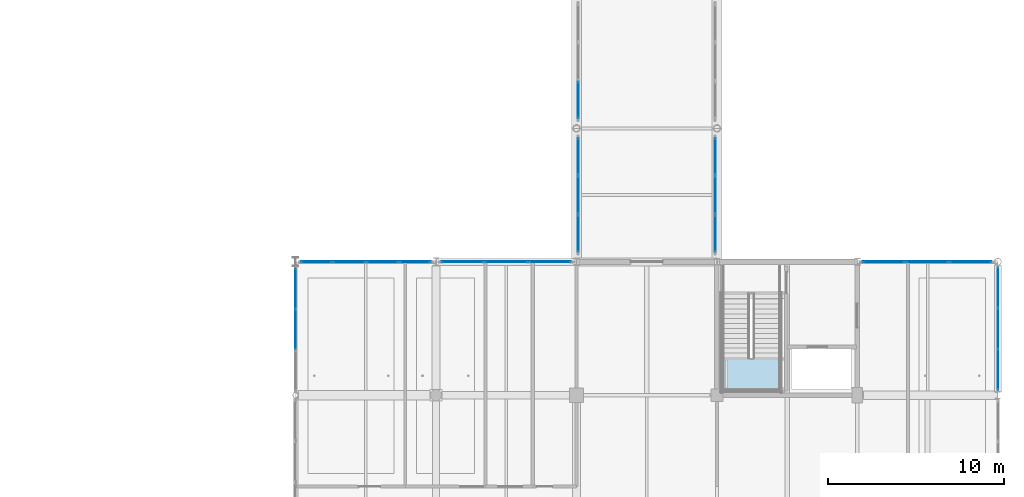
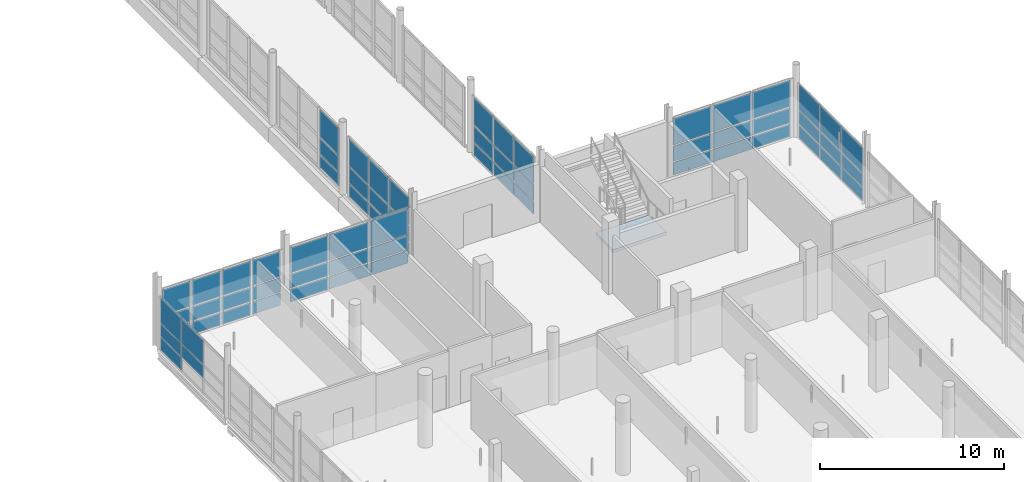
# One storey, part 75 of 147: 65 plates, 1 slab, 9 elements without a shape of their own.
"""IFC4 building model written with IfcOpenShell, lengths in metres."""

import ifcopenshell
import ifcopenshell.guid

model = None  # the IFC model being written
_history = None  # IfcOwnerHistory: only IFC2X3 demands one
_inside = {}  # id of a spatial element -> (the spatial element, [elements in it])
_under = {}  # id of a project, library or spatial element -> (it, [spatial elements below it])
_declared = {}  # id of a project -> (the project, [libraries it declares])
_typed = {}  # id of a type object -> (the type object, [elements of that type])
_made_of = {}  # id of a material, layer set ... -> (it, [elements and type objects made of it])


def new_model(schema):
    """Start an empty IFC model of exactly this schema.

    Asked for "IFC4X3", IfcOpenShell would pick the latest addendum, in which some entities
    have other attributes; the version numbers below select the first issue.
    IFC2X3 requires an IfcOwnerHistory on every rooted entity: one is made here for all.
    """
    global model, _history
    if schema == "IFC4X3":
        model = ifcopenshell.file(schema_version=(4, 3, 0, 0))
    else:
        model = ifcopenshell.file(schema=schema)
    _inside.clear()
    _under.clear()
    _declared.clear()
    _typed.clear()
    _made_of.clear()
    _history = None
    if model.schema == "IFC2X3":
        org = make("IfcOrganization", Name="unknown")
        user = make(
            "IfcPersonAndOrganization",
            ThePerson=make("IfcPerson", FamilyName="unknown"),
            TheOrganization=org,
        )
        app = make(
            "IfcApplication",
            ApplicationDeveloper=org,
            Version="unknown",
            ApplicationFullName="unknown",
            ApplicationIdentifier="unknown",
        )
        _history = make(
            "IfcOwnerHistory",
            OwningUser=user,
            OwningApplication=app,
            ChangeAction="ADDED",
            CreationDate=0,
        )
    return model


def make(cls, **values):
    """One entity of the class cls with the attributes given. An attribute that is None is left unset."""
    return model.create_entity(
        cls, **{name: value for name, value in values.items() if value is not None}
    )


def rooted(cls, **values):
    """An entity with a GlobalId (a new one), such as an element, a storey or a relation."""
    return make(cls, GlobalId=ifcopenshell.guid.new(), OwnerHistory=_history, **values)


def si_unit(unit_type, name, prefix=None):
    """IfcSIUnit, for example si_unit("LENGTHUNIT", "METRE", prefix="MILLI")."""
    return make("IfcSIUnit", UnitType=unit_type, Prefix=prefix, Name=name)


def assignment(units):
    """IfcUnitAssignment: the units of a project."""
    return None if units is None else make("IfcUnitAssignment", Units=units)


def point(xyz):
    """IfcCartesianPoint."""
    return None if xyz is None else make("IfcCartesianPoint", Coordinates=xyz)


def direction(xyz):
    """IfcDirection."""
    return None if xyz is None else make("IfcDirection", DirectionRatios=xyz)


def frame(location, z_axis=None, x_axis=None):
    """IfcAxis2Placement3D, a coordinate frame: its origin and axes. An axis left out is left unset."""
    return make(
        "IfcAxis2Placement3D",
        Location=point(location),
        Axis=direction(z_axis),
        RefDirection=direction(x_axis),
    )


def frame_2d(location, x_axis=None):
    """IfcAxis2Placement2D, a coordinate frame in the plane: its origin and x axis."""
    return make(
        "IfcAxis2Placement2D", Location=point(location), RefDirection=direction(x_axis)
    )


def origin():
    """The frame at (0, 0, 0) with its axes left unset."""
    return frame((0.0, 0.0, 0.0))


def origin_2d():
    """The frame at (0, 0) in the plane with its x axis left unset."""
    return frame_2d((0.0, 0.0))


def place(relative_to, where):
    """IfcLocalPlacement: puts the frame where relative to a parent placement (None: the world)."""
    return make(
        "IfcLocalPlacement", PlacementRelTo=relative_to, RelativePlacement=where
    )


def context(
    kind, dimensions, precision=None, world=None, true_north=None, identifier=None
):
    """IfcGeometricRepresentationContext, for example the 3D "Model" context."""
    return make(
        "IfcGeometricRepresentationContext",
        ContextIdentifier=identifier,
        ContextType=kind,
        CoordinateSpaceDimension=dimensions,
        Precision=precision,
        WorldCoordinateSystem=world,
        TrueNorth=true_north,
    )


def subcontext(parent, identifier, kind, view, scale=None):
    """IfcGeometricRepresentationSubContext, for example "Body" below "Model"."""
    return make(
        "IfcGeometricRepresentationSubContext",
        ContextIdentifier=identifier,
        ContextType=kind,
        ParentContext=parent,
        TargetScale=scale,
        TargetView=view,
    )


def project(units=None, contexts=None):
    """IfcProject with its units and contexts."""
    return rooted(
        "IfcProject",
        Name="project",
        RepresentationContexts=contexts,
        UnitsInContext=assignment(units),
    )


def spatial(cls, under=None, at=None, **own):
    """A site, building, storey or space (cls), placed at a placement, below another one or the project."""
    s = rooted(cls, ObjectPlacement=at, **own)
    if under is not None:
        _under.setdefault(under.id(), (under, []))[1].append(s)
    return s


def polyline(points):
    """IfcPolyline through the points."""
    return make("IfcPolyline", Points=[point(p) for p in points])


def profile(cls, at=None, kind="AREA", **sizes):
    """A parametric profile (cls). Its sizes go by their IFC names, for example OverallWidth=200.0."""
    return make(cls, ProfileType=kind, Position=at, **sizes)


def rectangle(**sizes):
    """IfcRectangleProfileDef."""
    return profile("IfcRectangleProfileDef", **sizes)


def outline(outer, holes=None, kind="AREA"):
    """IfcArbitraryClosedProfileDef: a profile drawn as a closed curve; with holes, ...WithVoids."""
    if holes is None:
        return make("IfcArbitraryClosedProfileDef", ProfileType=kind, OuterCurve=outer)
    return make(
        "IfcArbitraryProfileDefWithVoids",
        ProfileType=kind,
        OuterCurve=outer,
        InnerCurves=holes,
    )


def extrude(swept, where, along, depth):
    """IfcExtrudedAreaSolid: the profile swept, set in the frame where, extruded along a direction by depth."""
    return make(
        "IfcExtrudedAreaSolid",
        SweptArea=swept,
        Position=where,
        ExtrudedDirection=direction(along),
        Depth=depth,
    )


def shape(context_of_items, identifier, shape_type, items):
    """IfcShapeRepresentation: the items that make up one representation, for example the "Body"."""
    return make(
        "IfcShapeRepresentation",
        ContextOfItems=context_of_items,
        RepresentationIdentifier=identifier,
        RepresentationType=shape_type,
        Items=items,
    )


def material(Name=None, Category=None):
    """IfcMaterial."""
    return make("IfcMaterial", Name=Name, Category=Category)


def layer(
    of_material, thickness, ventilated=None, Name=None, Category=None, Priority=None
):
    """IfcMaterialLayer: one layer of a wall or slab, of a material (None: an air gap)."""
    return make(
        "IfcMaterialLayer",
        Material=of_material,
        LayerThickness=thickness,
        IsVentilated=ventilated,
        Name=Name,
        Category=Category,
        Priority=Priority,
    )


def layer_set(layers, Name=None):
    """IfcMaterialLayerSet."""
    return make("IfcMaterialLayerSet", MaterialLayers=layers, LayerSetName=Name)


def made_of(thing, what):
    """Note that an element or type object is made of a material, layer set ...; save() writes the relation."""
    if what is not None:
        _made_of.setdefault(what.id(), (what, []))[1].append(thing)
    return thing


def type_object(cls, material=None, **own):
    """A type object (cls), such as IfcWallType, which elements share."""
    return made_of(rooted(cls, **own), material)


def element(
    cls,
    number,
    at=None,
    inside=None,
    cuts=None,
    type_object=None,
    material=None,
    context=None,
    identifier="Body",
    shape_type=None,
    held_by="IfcProductDefinitionShape",
    body=None,
    shapes=None,
    **own,
):
    """One element of the class cls, such as IfcWall. Its Tag is "e" and its number.

    at: its placement. inside: the storey or other place that contains it. cuts: it is an
    opening in that element (IfcRelVoidsElement). A single representation is given by context,
    identifier, shape_type and body (its items); several are given by shapes. held_by: the class
    of the entity that holds the representations. save() writes the other relations.
    """
    e = rooted(cls, Tag="e%d" % number, ObjectPlacement=at, **own)
    if body is not None:
        shapes = [shape(context, identifier, shape_type, body)]
    if shapes is not None:
        e.Representation = make(held_by, Representations=shapes)
    if inside is not None:
        _inside.setdefault(inside.id(), (inside, []))[1].append(e)
    if cuts is not None:
        rooted(
            "IfcRelVoidsElement", RelatingBuildingElement=cuts, RelatedOpeningElement=e
        )
    if type_object is not None:
        _typed.setdefault(type_object.id(), (type_object, []))[1].append(e)
    return made_of(e, material)


def aggregate(whole, parts):
    """IfcRelAggregates: a whole, such as a stair, and the parts it consists of."""
    return rooted("IfcRelAggregates", RelatingObject=whole, RelatedObjects=parts)


def save(model, path):
    """Write the relations noted so far, then the file.

    IfcRelAggregates (storeys below a building ...), IfcRelContainedInSpatialStructure (elements
    in a storey), IfcRelDefinesByType, IfcRelAssociatesMaterial and IfcRelDeclares: one each for
    every whole, place, type object, material and project.
    """
    for whole, parts in _under.values():
        aggregate(whole, parts)
    for where, things in _inside.values():
        rooted(
            "IfcRelContainedInSpatialStructure",
            RelatedElements=things,
            RelatingStructure=where,
        )
    for kind, things in _typed.values():
        rooted("IfcRelDefinesByType", RelatedObjects=things, RelatingType=kind)
    for what, things in _made_of.values():
        rooted("IfcRelAssociatesMaterial", RelatedObjects=things, RelatingMaterial=what)
    for by, libraries in _declared.values():
        rooted("IfcRelDeclares", RelatingContext=by, RelatedDefinitions=libraries)
    model.write(path)


model = new_model("IFC4")

# Units and contexts
model_context = context("Model", 3, precision=1e-05, world=origin(), true_north=direction((0.0, 1.0)))
body_context = subcontext(model_context, "Body", "Model", "MODEL_VIEW")
ifc_project = project(units=[si_unit("LENGTHUNIT", "METRE"), si_unit("AREAUNIT", "SQUARE_METRE"), si_unit("VOLUMEUNIT", "CUBIC_METRE"), si_unit("PLANEANGLEUNIT", "RADIAN"), si_unit("MASSUNIT", "GRAM", prefix="KILO")], contexts=[model_context])

# Site, building, storey
site_placement = place(None, origin())
site = spatial("IfcSite", under=ifc_project, at=site_placement, CompositionType="ELEMENT")
building_placement = place(site_placement, origin())
building = spatial("IfcBuilding", under=site, at=building_placement, Name="Khelvaren Railside Concert Hall", CompositionType="ELEMENT")
storey_placement = place(building_placement, frame((0.0, 0.0, 5.39990234375)))
storey = spatial("IfcBuildingStorey", under=building, at=storey_placement, Name="L01", CompositionType="ELEMENT", Elevation=5.39990234375)

# Curtain wall, plates
ifc_material_1 = material(Name="Acoustic laminated crystal facade glass", Category="glass")
curtain_wall_type_1 = type_object("IfcCurtainWallType", Name="CW54", PredefinedType="USERDEFINED", material=ifc_material_1)
curtain_wall_1_placement = place(storey_placement, origin())
curtain_wall_1 = element("IfcCurtainWall", 1, at=curtain_wall_1_placement, inside=storey, type_object=curtain_wall_type_1, Name="Unitised Curtain Wall CW-V2-L01-N-144", ObjectType="UNITISED CURTAIN WALL", PredefinedType="USERDEFINED")
ifc_layer_1 = layer(ifc_material_1, 0.0400390625)
ifc_layer_set_1 = layer_set([ifc_layer_1], Name="Acoustic laminated crystal facade glass")
plate_type_1 = type_object("IfcPlateType", Name="CWP77", PredefinedType="CURTAIN_PANEL", material=ifc_layer_set_1)
plate_1_placement = place(storey_placement, frame((145.19189453125, 38.0, 0.0849609375), z_axis=(0.0, 0.0, 1.0), x_axis=(1.0, 0.0, 0.0)))
plate_1 = element("IfcPlate", 2, at=plate_1_placement, type_object=plate_type_1, Name="CW54 panel 1.1", PredefinedType="CURTAIN_PANEL", context=body_context, shape_type="SweptSolid", body=[
    extrude(rectangle(XDim=1.7587890625, YDim=0.0400390625, at=origin_2d()), origin(), (0.0, 0.0, 1.0), 0.822509765625),
])
plate_2_placement = place(storey_placement, frame((145.19189453125, 38.0, 0.99267578125), z_axis=(0.0, 0.0, 1.0), x_axis=(1.0, 0.0, 0.0)))
plate_2 = element("IfcPlate", 3, at=plate_2_placement, type_object=plate_type_1, Name="CW54 panel 1.2", PredefinedType="CURTAIN_PANEL", context=body_context, shape_type="SweptSolid", body=[
    extrude(rectangle(XDim=1.7587890625, YDim=0.0400390625, at=origin_2d()), origin(), (0.0, 0.0, 1.0), 0.9150390625),
])
plate_3_placement = place(storey_placement, frame((145.19189453125, 38.0, 1.99267578125), z_axis=(0.0, 0.0, 1.0), x_axis=(1.0, 0.0, 0.0)))
plate_3 = element("IfcPlate", 4, at=plate_3_placement, type_object=plate_type_1, Name="CW54 panel 1.3", PredefinedType="CURTAIN_PANEL", context=body_context, shape_type="SweptSolid", body=[
    extrude(rectangle(XDim=1.7587890625, YDim=0.0400390625, at=origin_2d()), origin(), (0.0, 0.0, 1.0), 1.672607421875),
])
plate_4_placement = place(storey_placement, frame((147.056884765625, 38.0, 0.0849609375), z_axis=(0.0, 0.0, 1.0), x_axis=(1.0, 0.0, 0.0)))
plate_4 = element("IfcPlate", 5, at=plate_4_placement, type_object=plate_type_1, Name="CW54 panel 2.1", PredefinedType="CURTAIN_PANEL", context=body_context, shape_type="SweptSolid", body=[
    extrude(rectangle(XDim=1.80126953125, YDim=0.0400390625, at=origin_2d()), origin(), (0.0, 0.0, 1.0), 0.822509765625),
])
plate_5_placement = place(storey_placement, frame((147.056884765625, 38.0, 0.99267578125), z_axis=(0.0, 0.0, 1.0), x_axis=(1.0, 0.0, 0.0)))
plate_5 = element("IfcPlate", 6, at=plate_5_placement, type_object=plate_type_1, Name="CW54 panel 2.2", PredefinedType="CURTAIN_PANEL", context=body_context, shape_type="SweptSolid", body=[
    extrude(rectangle(XDim=1.80126953125, YDim=0.0400390625, at=origin_2d()), origin(), (0.0, 0.0, 1.0), 0.9150390625),
])
plate_6_placement = place(storey_placement, frame((147.056884765625, 38.0, 1.99267578125), z_axis=(0.0, 0.0, 1.0), x_axis=(1.0, 0.0, 0.0)))
plate_6 = element("IfcPlate", 7, at=plate_6_placement, type_object=plate_type_1, Name="CW54 panel 2.3", PredefinedType="CURTAIN_PANEL", context=body_context, shape_type="SweptSolid", body=[
    extrude(rectangle(XDim=1.80126953125, YDim=0.0400390625, at=origin_2d()), origin(), (0.0, 0.0, 1.0), 1.672607421875),
])
plate_7_placement = place(storey_placement, frame((148.943115234375, 38.0, 0.0849609375), z_axis=(0.0, 0.0, 1.0), x_axis=(1.0, 0.0, 0.0)))
plate_7 = element("IfcPlate", 8, at=plate_7_placement, type_object=plate_type_1, Name="CW54 panel 3.1", PredefinedType="CURTAIN_PANEL", context=body_context, shape_type="SweptSolid", body=[
    extrude(rectangle(XDim=1.80126953125, YDim=0.0400390625, at=origin_2d()), origin(), (0.0, 0.0, 1.0), 0.822509765625),
])
plate_8_placement = place(storey_placement, frame((148.943115234375, 38.0, 0.99267578125), z_axis=(0.0, 0.0, 1.0), x_axis=(1.0, 0.0, 0.0)))
plate_8 = element("IfcPlate", 9, at=plate_8_placement, type_object=plate_type_1, Name="CW54 panel 3.2", PredefinedType="CURTAIN_PANEL", context=body_context, shape_type="SweptSolid", body=[
    extrude(rectangle(XDim=1.80126953125, YDim=0.0400390625, at=origin_2d()), origin(), (0.0, 0.0, 1.0), 0.9150390625),
])
plate_9_placement = place(storey_placement, frame((148.943115234375, 38.0, 1.99267578125), z_axis=(0.0, 0.0, 1.0), x_axis=(1.0, 0.0, 0.0)))
plate_9 = element("IfcPlate", 10, at=plate_9_placement, type_object=plate_type_1, Name="CW54 panel 3.3", PredefinedType="CURTAIN_PANEL", context=body_context, shape_type="SweptSolid", body=[
    extrude(rectangle(XDim=1.80126953125, YDim=0.0400390625, at=origin_2d()), origin(), (0.0, 0.0, 1.0), 1.672607421875),
])
plate_10_placement = place(storey_placement, frame((150.80810546875, 38.0, 0.0849609375), z_axis=(0.0, 0.0, 1.0), x_axis=(1.0, 0.0, 0.0)))
plate_10 = element("IfcPlate", 11, at=plate_10_placement, type_object=plate_type_1, Name="CW54 panel 4.1", PredefinedType="CURTAIN_PANEL", context=body_context, shape_type="SweptSolid", body=[
    extrude(rectangle(XDim=1.7587890625, YDim=0.0400390625, at=origin_2d()), origin(), (0.0, 0.0, 1.0), 0.822509765625),
])
plate_11_placement = place(storey_placement, frame((150.80810546875, 38.0, 0.99267578125), z_axis=(0.0, 0.0, 1.0), x_axis=(1.0, 0.0, 0.0)))
plate_11 = element("IfcPlate", 12, at=plate_11_placement, type_object=plate_type_1, Name="CW54 panel 4.2", PredefinedType="CURTAIN_PANEL", context=body_context, shape_type="SweptSolid", body=[
    extrude(rectangle(XDim=1.7587890625, YDim=0.0400390625, at=origin_2d()), origin(), (0.0, 0.0, 1.0), 0.9150390625),
])
plate_12_placement = place(storey_placement, frame((150.80810546875, 38.0, 1.99267578125), z_axis=(0.0, 0.0, 1.0), x_axis=(1.0, 0.0, 0.0)))
plate_12 = element("IfcPlate", 13, at=plate_12_placement, type_object=plate_type_1, Name="CW54 panel 4.3", PredefinedType="CURTAIN_PANEL", context=body_context, shape_type="SweptSolid", body=[
    extrude(rectangle(XDim=1.7587890625, YDim=0.0400390625, at=origin_2d()), origin(), (0.0, 0.0, 1.0), 1.672607421875),
])
aggregate(curtain_wall_1, [plate_1, plate_2, plate_3, plate_4, plate_5, plate_6, plate_7, plate_8, plate_9, plate_10, plate_11, plate_12])

curtain_wall_type_2 = type_object("IfcCurtainWallType", Name="CW66", PredefinedType="USERDEFINED", material=ifc_material_1)
curtain_wall_2_placement = place(storey_placement, origin())
curtain_wall_2 = element("IfcCurtainWall", 14, at=curtain_wall_2_placement, inside=storey, type_object=curtain_wall_type_2, Name="Unitised Curtain Wall CW-V2-L01-N-152", ObjectType="UNITISED CURTAIN WALL", PredefinedType="USERDEFINED")
plate_13_placement = place(storey_placement, frame((153.50634765625, 38.0, 0.0849609375), z_axis=(0.0, 0.0, 1.0), x_axis=(1.0, 0.0, 0.0)))
plate_13 = element("IfcPlate", 15, at=plate_13_placement, type_object=plate_type_1, Name="CW66 panel 1.1", PredefinedType="CURTAIN_PANEL", context=body_context, shape_type="SweptSolid", body=[
    extrude(rectangle(XDim=2.387451171875, YDim=0.0400390625, at=origin_2d()), origin(), (0.0, 0.0, 1.0), 0.822509765625),
])
plate_14_placement = place(storey_placement, frame((153.50634765625, 38.0, 0.99267578125), z_axis=(0.0, 0.0, 1.0), x_axis=(1.0, 0.0, 0.0)))
plate_14 = element("IfcPlate", 16, at=plate_14_placement, type_object=plate_type_1, Name="CW66 panel 1.2", PredefinedType="CURTAIN_PANEL", context=body_context, shape_type="SweptSolid", body=[
    extrude(rectangle(XDim=2.387451171875, YDim=0.0400390625, at=origin_2d()), origin(), (0.0, 0.0, 1.0), 0.9150390625),
])
plate_15_placement = place(storey_placement, frame((153.50634765625, 38.0, 1.99267578125), z_axis=(0.0, 0.0, 1.0), x_axis=(1.0, 0.0, 0.0)))
plate_15 = element("IfcPlate", 17, at=plate_15_placement, type_object=plate_type_1, Name="CW66 panel 1.3", PredefinedType="CURTAIN_PANEL", context=body_context, shape_type="SweptSolid", body=[
    extrude(rectangle(XDim=2.387451171875, YDim=0.0400390625, at=origin_2d()), origin(), (0.0, 0.0, 1.0), 1.672607421875),
])
plate_16_placement = place(storey_placement, frame((156.0, 38.0, 0.0849609375), z_axis=(0.0, 0.0, 1.0), x_axis=(1.0, 0.0, 0.0)))
plate_16 = element("IfcPlate", 18, at=plate_16_placement, type_object=plate_type_1, Name="CW66 panel 2.1", PredefinedType="CURTAIN_PANEL", context=body_context, shape_type="SweptSolid", body=[
    extrude(rectangle(XDim=2.429931640625, YDim=0.0400390625, at=origin_2d()), origin(), (0.0, 0.0, 1.0), 0.822509765625),
])
plate_17_placement = place(storey_placement, frame((156.0, 38.0, 0.99267578125), z_axis=(0.0, 0.0, 1.0), x_axis=(1.0, 0.0, 0.0)))
plate_17 = element("IfcPlate", 19, at=plate_17_placement, type_object=plate_type_1, Name="CW66 panel 2.2", PredefinedType="CURTAIN_PANEL", context=body_context, shape_type="SweptSolid", body=[
    extrude(rectangle(XDim=2.429931640625, YDim=0.0400390625, at=origin_2d()), origin(), (0.0, 0.0, 1.0), 0.9150390625),
])
plate_18_placement = place(storey_placement, frame((156.0, 38.0, 1.99267578125), z_axis=(0.0, 0.0, 1.0), x_axis=(1.0, 0.0, 0.0)))
plate_18 = element("IfcPlate", 20, at=plate_18_placement, type_object=plate_type_1, Name="CW66 panel 2.3", PredefinedType="CURTAIN_PANEL", context=body_context, shape_type="SweptSolid", body=[
    extrude(rectangle(XDim=2.429931640625, YDim=0.0400390625, at=origin_2d()), origin(), (0.0, 0.0, 1.0), 1.672607421875),
])
plate_19_placement = place(storey_placement, frame((158.49365234375, 38.0, 0.0849609375), z_axis=(0.0, 0.0, 1.0), x_axis=(1.0, 0.0, 0.0)))
plate_19 = element("IfcPlate", 21, at=plate_19_placement, type_object=plate_type_1, Name="CW66 panel 3.1", PredefinedType="CURTAIN_PANEL", context=body_context, shape_type="SweptSolid", body=[
    extrude(rectangle(XDim=2.387451171875, YDim=0.0400390625, at=origin_2d()), origin(), (0.0, 0.0, 1.0), 0.822509765625),
])
plate_20_placement = place(storey_placement, frame((158.49365234375, 38.0, 0.99267578125), z_axis=(0.0, 0.0, 1.0), x_axis=(1.0, 0.0, 0.0)))
plate_20 = element("IfcPlate", 22, at=plate_20_placement, type_object=plate_type_1, Name="CW66 panel 3.2", PredefinedType="CURTAIN_PANEL", context=body_context, shape_type="SweptSolid", body=[
    extrude(rectangle(XDim=2.387451171875, YDim=0.0400390625, at=origin_2d()), origin(), (0.0, 0.0, 1.0), 0.9150390625),
])
plate_21_placement = place(storey_placement, frame((158.49365234375, 38.0, 1.99267578125), z_axis=(0.0, 0.0, 1.0), x_axis=(1.0, 0.0, 0.0)))
plate_21 = element("IfcPlate", 23, at=plate_21_placement, type_object=plate_type_1, Name="CW66 panel 3.3", PredefinedType="CURTAIN_PANEL", context=body_context, shape_type="SweptSolid", body=[
    extrude(rectangle(XDim=2.387451171875, YDim=0.0400390625, at=origin_2d()), origin(), (0.0, 0.0, 1.0), 1.672607421875),
])
aggregate(curtain_wall_2, [plate_13, plate_14, plate_15, plate_16, plate_17, plate_18, plate_19, plate_20, plate_21])

curtain_wall_type_3 = type_object("IfcCurtainWallType", Name="CW21", PredefinedType="USERDEFINED", material=ifc_material_1)
curtain_wall_3_placement = place(storey_placement, origin())
curtain_wall_3 = element("IfcCurtainWall", 24, at=curtain_wall_3_placement, inside=storey, type_object=curtain_wall_type_3, Name="Unitised Curtain Wall CW-V2-L01-N-176", ObjectType="UNITISED CURTAIN WALL", PredefinedType="USERDEFINED")
plate_22_placement = place(storey_placement, frame((177.497314453125, 38.0, 0.0849609375), z_axis=(0.0, 0.0, 1.0), x_axis=(1.0, 0.0, 0.0)))
plate_22 = element("IfcPlate", 25, at=plate_22_placement, type_object=plate_type_1, Name="CW21 panel 1.1", PredefinedType="CURTAIN_PANEL", context=body_context, shape_type="SweptSolid", body=[
    extrude(rectangle(XDim=2.369873046875, YDim=0.0400390625, at=origin_2d()), origin(), (0.0, 0.0, 1.0), 0.822509765625),
])
plate_23_placement = place(storey_placement, frame((177.497314453125, 38.0, 0.99267578125), z_axis=(0.0, 0.0, 1.0), x_axis=(1.0, 0.0, 0.0)))
plate_23 = element("IfcPlate", 26, at=plate_23_placement, type_object=plate_type_1, Name="CW21 panel 1.2", PredefinedType="CURTAIN_PANEL", context=body_context, shape_type="SweptSolid", body=[
    extrude(rectangle(XDim=2.369873046875, YDim=0.0400390625, at=origin_2d()), origin(), (0.0, 0.0, 1.0), 0.992919921875),
])
plate_24_placement = place(storey_placement, frame((177.497314453125, 38.0, 2.07080078125), z_axis=(0.0, 0.0, 1.0), x_axis=(1.0, 0.0, 0.0)))
plate_24 = element("IfcPlate", 27, at=plate_24_placement, type_object=plate_type_1, Name="CW21 panel 1.3", PredefinedType="CURTAIN_PANEL", context=body_context, shape_type="SweptSolid", body=[
    extrude(rectangle(XDim=2.369873046875, YDim=0.0400390625, at=origin_2d()), origin(), (0.0, 0.0, 1.0), 1.744384765625),
])
plate_25_placement = place(storey_placement, frame((179.973388671875, 38.0, 0.0849609375), z_axis=(0.0, 0.0, 1.0), x_axis=(1.0, 0.0, 0.0)))
plate_25 = element("IfcPlate", 28, at=plate_25_placement, type_object=plate_type_1, Name="CW21 panel 2.1", PredefinedType="CURTAIN_PANEL", context=body_context, shape_type="SweptSolid", body=[
    extrude(rectangle(XDim=2.412353515625, YDim=0.0400390625, at=origin_2d()), origin(), (0.0, 0.0, 1.0), 0.822509765625),
])
plate_26_placement = place(storey_placement, frame((179.973388671875, 38.0, 0.99267578125), z_axis=(0.0, 0.0, 1.0), x_axis=(1.0, 0.0, 0.0)))
plate_26 = element("IfcPlate", 29, at=plate_26_placement, type_object=plate_type_1, Name="CW21 panel 2.2", PredefinedType="CURTAIN_PANEL", context=body_context, shape_type="SweptSolid", body=[
    extrude(rectangle(XDim=2.412353515625, YDim=0.0400390625, at=origin_2d()), origin(), (0.0, 0.0, 1.0), 0.992919921875),
])
plate_27_placement = place(storey_placement, frame((179.973388671875, 38.0, 2.07080078125), z_axis=(0.0, 0.0, 1.0), x_axis=(1.0, 0.0, 0.0)))
plate_27 = element("IfcPlate", 30, at=plate_27_placement, type_object=plate_type_1, Name="CW21 panel 2.3", PredefinedType="CURTAIN_PANEL", context=body_context, shape_type="SweptSolid", body=[
    extrude(rectangle(XDim=2.412353515625, YDim=0.0400390625, at=origin_2d()), origin(), (0.0, 0.0, 1.0), 1.744384765625),
])
plate_28_placement = place(storey_placement, frame((182.449462890625, 38.0, 0.0849609375), z_axis=(0.0, 0.0, 1.0), x_axis=(1.0, 0.0, 0.0)))
plate_28 = element("IfcPlate", 31, at=plate_28_placement, type_object=plate_type_1, Name="CW21 panel 3.1", PredefinedType="CURTAIN_PANEL", context=body_context, shape_type="SweptSolid", body=[
    extrude(rectangle(XDim=2.369873046875, YDim=0.0400390625, at=origin_2d()), origin(), (0.0, 0.0, 1.0), 0.822509765625),
])
plate_29_placement = place(storey_placement, frame((182.449462890625, 38.0, 0.99267578125), z_axis=(0.0, 0.0, 1.0), x_axis=(1.0, 0.0, 0.0)))
plate_29 = element("IfcPlate", 32, at=plate_29_placement, type_object=plate_type_1, Name="CW21 panel 3.2", PredefinedType="CURTAIN_PANEL", context=body_context, shape_type="SweptSolid", body=[
    extrude(rectangle(XDim=2.369873046875, YDim=0.0400390625, at=origin_2d()), origin(), (0.0, 0.0, 1.0), 0.992919921875),
])
plate_30_placement = place(storey_placement, frame((182.449462890625, 38.0, 2.07080078125), z_axis=(0.0, 0.0, 1.0), x_axis=(1.0, 0.0, 0.0)))
plate_30 = element("IfcPlate", 33, at=plate_30_placement, type_object=plate_type_1, Name="CW21 panel 3.3", PredefinedType="CURTAIN_PANEL", context=body_context, shape_type="SweptSolid", body=[
    extrude(rectangle(XDim=2.369873046875, YDim=0.0400390625, at=origin_2d()), origin(), (0.0, 0.0, 1.0), 1.744384765625),
])
aggregate(curtain_wall_3, [plate_22, plate_23, plate_24, plate_25, plate_26, plate_27, plate_28, plate_29, plate_30])

curtain_wall_type_4 = type_object("IfcCurtainWallType", Name="CW78", PredefinedType="USERDEFINED", material=ifc_material_1)
curtain_wall_4_placement = place(storey_placement, origin())
curtain_wall_4 = element("IfcCurtainWall", 34, at=curtain_wall_4_placement, inside=storey, type_object=curtain_wall_type_4, Name="Unitised Curtain Wall CW-LB4-L01-W1", ObjectType="UNITISED CURTAIN WALL", PredefinedType="USERDEFINED")
plate_31_placement = place(storey_placement, frame((160.10009765625, 39.60791015625, 0.0849609375), z_axis=(0.0, 0.0, 1.0), x_axis=(0.0, 1.0, 0.0)))
plate_31 = element("IfcPlate", 35, at=plate_31_placement, type_object=plate_type_1, Name="CW78 panel 1.1", PredefinedType="CURTAIN_PANEL", context=body_context, shape_type="SweptSolid", body=[
    extrude(rectangle(XDim=2.0859375, YDim=0.0400390625, at=origin_2d()), origin(), (0.0, 0.0, 1.0), 0.822509765625),
])
plate_32_placement = place(storey_placement, frame((160.10009765625, 39.60791015625, 0.99267578125), z_axis=(0.0, 0.0, 1.0), x_axis=(0.0, 1.0, 0.0)))
plate_32 = element("IfcPlate", 36, at=plate_32_placement, type_object=plate_type_1, Name="CW78 panel 1.2", PredefinedType="CURTAIN_PANEL", context=body_context, shape_type="SweptSolid", body=[
    extrude(rectangle(XDim=2.0859375, YDim=0.0400390625, at=origin_2d()), origin(), (0.0, 0.0, 1.0), 1.03466796875),
])
plate_33_placement = place(storey_placement, frame((160.10009765625, 39.60791015625, 2.1123046875), z_axis=(0.0, 0.0, 1.0), x_axis=(0.0, 1.0, 0.0)))
plate_33 = element("IfcPlate", 37, at=plate_33_placement, type_object=plate_type_1, Name="CW78 panel 1.3", PredefinedType="CURTAIN_PANEL", context=body_context, shape_type="SweptSolid", body=[
    extrude(rectangle(XDim=2.0859375, YDim=0.0400390625, at=origin_2d()), origin(), (0.0, 0.0, 1.0), 1.782958984375),
])
plate_34_placement = place(storey_placement, frame((160.10009765625, 41.800048828125, 0.0849609375), z_axis=(0.0, 0.0, 1.0), x_axis=(0.0, 1.0, 0.0)))
plate_34 = element("IfcPlate", 38, at=plate_34_placement, type_object=plate_type_1, Name="CW78 panel 2.1", PredefinedType="CURTAIN_PANEL", context=body_context, shape_type="SweptSolid", body=[
    extrude(rectangle(XDim=2.12841796875, YDim=0.0400390625, at=origin_2d()), origin(), (0.0, 0.0, 1.0), 0.822509765625),
])
plate_35_placement = place(storey_placement, frame((160.10009765625, 41.800048828125, 0.99267578125), z_axis=(0.0, 0.0, 1.0), x_axis=(0.0, 1.0, 0.0)))
plate_35 = element("IfcPlate", 39, at=plate_35_placement, type_object=plate_type_1, Name="CW78 panel 2.2", PredefinedType="CURTAIN_PANEL", context=body_context, shape_type="SweptSolid", body=[
    extrude(rectangle(XDim=2.12841796875, YDim=0.0400390625, at=origin_2d()), origin(), (0.0, 0.0, 1.0), 1.03466796875),
])
plate_36_placement = place(storey_placement, frame((160.10009765625, 41.800048828125, 2.1123046875), z_axis=(0.0, 0.0, 1.0), x_axis=(0.0, 1.0, 0.0)))
plate_36 = element("IfcPlate", 40, at=plate_36_placement, type_object=plate_type_1, Name="CW78 panel 2.3", PredefinedType="CURTAIN_PANEL", context=body_context, shape_type="SweptSolid", body=[
    extrude(rectangle(XDim=2.12841796875, YDim=0.0400390625, at=origin_2d()), origin(), (0.0, 0.0, 1.0), 1.782958984375),
])
plate_37_placement = place(storey_placement, frame((160.10009765625, 43.9921875, 0.0849609375), z_axis=(0.0, 0.0, 1.0), x_axis=(0.0, 1.0, 0.0)))
plate_37 = element("IfcPlate", 41, at=plate_37_placement, type_object=plate_type_1, Name="CW78 panel 3.1", PredefinedType="CURTAIN_PANEL", context=body_context, shape_type="SweptSolid", body=[
    extrude(rectangle(XDim=2.0859375, YDim=0.0400390625, at=origin_2d()), origin(), (0.0, 0.0, 1.0), 0.822509765625),
])
plate_38_placement = place(storey_placement, frame((160.10009765625, 43.9921875, 0.99267578125), z_axis=(0.0, 0.0, 1.0), x_axis=(0.0, 1.0, 0.0)))
plate_38 = element("IfcPlate", 42, at=plate_38_placement, type_object=plate_type_1, Name="CW78 panel 3.2", PredefinedType="CURTAIN_PANEL", context=body_context, shape_type="SweptSolid", body=[
    extrude(rectangle(XDim=2.0859375, YDim=0.0400390625, at=origin_2d()), origin(), (0.0, 0.0, 1.0), 1.03466796875),
])
plate_39_placement = place(storey_placement, frame((160.10009765625, 43.9921875, 2.1123046875), z_axis=(0.0, 0.0, 1.0), x_axis=(0.0, 1.0, 0.0)))
plate_39 = element("IfcPlate", 43, at=plate_39_placement, type_object=plate_type_1, Name="CW78 panel 3.3", PredefinedType="CURTAIN_PANEL", context=body_context, shape_type="SweptSolid", body=[
    extrude(rectangle(XDim=2.0859375, YDim=0.0400390625, at=origin_2d()), origin(), (0.0, 0.0, 1.0), 1.782958984375),
])
aggregate(curtain_wall_4, [plate_31, plate_32, plate_33, plate_34, plate_35, plate_36, plate_37, plate_38, plate_39])

curtain_wall_5_placement = place(storey_placement, origin())
curtain_wall_5 = element("IfcCurtainWall", 44, at=curtain_wall_5_placement, inside=storey, type_object=curtain_wall_type_4, Name="Unitised Curtain Wall CW-LB4-L01-E1", ObjectType="UNITISED CURTAIN WALL", PredefinedType="USERDEFINED")
plate_40_placement = place(storey_placement, frame((167.89990234375, 43.9921875, 0.0849609375), z_axis=(0.0, 0.0, 1.0), x_axis=(0.0, -1.0, 0.0)))
plate_40 = element("IfcPlate", 45, at=plate_40_placement, type_object=plate_type_1, Name="CW78 panel 1.1", PredefinedType="CURTAIN_PANEL", context=body_context, shape_type="SweptSolid", body=[
    extrude(rectangle(XDim=2.0859375, YDim=0.0400390625, at=origin_2d()), origin(), (0.0, 0.0, 1.0), 0.822509765625),
])
plate_41_placement = place(storey_placement, frame((167.89990234375, 43.9921875, 0.99267578125), z_axis=(0.0, 0.0, 1.0), x_axis=(0.0, -1.0, 0.0)))
plate_41 = element("IfcPlate", 46, at=plate_41_placement, type_object=plate_type_1, Name="CW78 panel 1.2", PredefinedType="CURTAIN_PANEL", context=body_context, shape_type="SweptSolid", body=[
    extrude(rectangle(XDim=2.0859375, YDim=0.0400390625, at=origin_2d()), origin(), (0.0, 0.0, 1.0), 1.03466796875),
])
plate_42_placement = place(storey_placement, frame((167.89990234375, 43.9921875, 2.1123046875), z_axis=(0.0, 0.0, 1.0), x_axis=(0.0, -1.0, 0.0)))
plate_42 = element("IfcPlate", 47, at=plate_42_placement, type_object=plate_type_1, Name="CW78 panel 1.3", PredefinedType="CURTAIN_PANEL", context=body_context, shape_type="SweptSolid", body=[
    extrude(rectangle(XDim=2.0859375, YDim=0.0400390625, at=origin_2d()), origin(), (0.0, 0.0, 1.0), 1.782958984375),
])
plate_43_placement = place(storey_placement, frame((167.89990234375, 41.800048828125, 0.0849609375), z_axis=(0.0, 0.0, 1.0), x_axis=(0.0, -1.0, 0.0)))
plate_43 = element("IfcPlate", 48, at=plate_43_placement, type_object=plate_type_1, Name="CW78 panel 2.1", PredefinedType="CURTAIN_PANEL", context=body_context, shape_type="SweptSolid", body=[
    extrude(rectangle(XDim=2.12841796875, YDim=0.0400390625, at=origin_2d()), origin(), (0.0, 0.0, 1.0), 0.822509765625),
])
plate_44_placement = place(storey_placement, frame((167.89990234375, 41.800048828125, 0.99267578125), z_axis=(0.0, 0.0, 1.0), x_axis=(0.0, -1.0, 0.0)))
plate_44 = element("IfcPlate", 49, at=plate_44_placement, type_object=plate_type_1, Name="CW78 panel 2.2", PredefinedType="CURTAIN_PANEL", context=body_context, shape_type="SweptSolid", body=[
    extrude(rectangle(XDim=2.12841796875, YDim=0.0400390625, at=origin_2d()), origin(), (0.0, 0.0, 1.0), 1.03466796875),
])
plate_45_placement = place(storey_placement, frame((167.89990234375, 41.800048828125, 2.1123046875), z_axis=(0.0, 0.0, 1.0), x_axis=(0.0, -1.0, 0.0)))
plate_45 = element("IfcPlate", 50, at=plate_45_placement, type_object=plate_type_1, Name="CW78 panel 2.3", PredefinedType="CURTAIN_PANEL", context=body_context, shape_type="SweptSolid", body=[
    extrude(rectangle(XDim=2.12841796875, YDim=0.0400390625, at=origin_2d()), origin(), (0.0, 0.0, 1.0), 1.782958984375),
])
plate_46_placement = place(storey_placement, frame((167.89990234375, 39.60791015625, 0.0849609375), z_axis=(0.0, 0.0, 1.0), x_axis=(0.0, -1.0, 0.0)))
plate_46 = element("IfcPlate", 51, at=plate_46_placement, type_object=plate_type_1, Name="CW78 panel 3.1", PredefinedType="CURTAIN_PANEL", context=body_context, shape_type="SweptSolid", body=[
    extrude(rectangle(XDim=2.0859375, YDim=0.0400390625, at=origin_2d()), origin(), (0.0, 0.0, 1.0), 0.822509765625),
])
plate_47_placement = place(storey_placement, frame((167.89990234375, 39.60791015625, 0.99267578125), z_axis=(0.0, 0.0, 1.0), x_axis=(0.0, -1.0, 0.0)))
plate_47 = element("IfcPlate", 52, at=plate_47_placement, type_object=plate_type_1, Name="CW78 panel 3.2", PredefinedType="CURTAIN_PANEL", context=body_context, shape_type="SweptSolid", body=[
    extrude(rectangle(XDim=2.0859375, YDim=0.0400390625, at=origin_2d()), origin(), (0.0, 0.0, 1.0), 1.03466796875),
])
plate_48_placement = place(storey_placement, frame((167.89990234375, 39.60791015625, 2.1123046875), z_axis=(0.0, 0.0, 1.0), x_axis=(0.0, -1.0, 0.0)))
plate_48 = element("IfcPlate", 53, at=plate_48_placement, type_object=plate_type_1, Name="CW78 panel 3.3", PredefinedType="CURTAIN_PANEL", context=body_context, shape_type="SweptSolid", body=[
    extrude(rectangle(XDim=2.0859375, YDim=0.0400390625, at=origin_2d()), origin(), (0.0, 0.0, 1.0), 1.782958984375),
])
aggregate(curtain_wall_5, [plate_40, plate_41, plate_42, plate_43, plate_44, plate_45, plate_46, plate_47, plate_48])

curtain_wall_6_placement = place(storey_placement, origin())
curtain_wall_6 = element("IfcCurtainWall", 54, at=curtain_wall_6_placement, inside=storey, type_object=curtain_wall_type_4, Name="Unitised Curtain Wall CW-LB4-L01-W2", ObjectType="UNITISED CURTAIN WALL", PredefinedType="USERDEFINED")
plate_49_placement = place(storey_placement, frame((160.10009765625, 47.2080078125, 0.0849609375), z_axis=(0.0, 0.0, 1.0), x_axis=(0.0, 1.0, 0.0)))
plate_49 = element("IfcPlate", 55, at=plate_49_placement, type_object=plate_type_1, Name="CW78 panel 1.1", PredefinedType="CURTAIN_PANEL", context=body_context, shape_type="SweptSolid", body=[
    extrude(rectangle(XDim=2.0859375, YDim=0.0400390625, at=origin_2d()), origin(), (0.0, 0.0, 1.0), 0.822509765625),
])
plate_50_placement = place(storey_placement, frame((160.10009765625, 47.2080078125, 0.99267578125), z_axis=(0.0, 0.0, 1.0), x_axis=(0.0, 1.0, 0.0)))
plate_50 = element("IfcPlate", 56, at=plate_50_placement, type_object=plate_type_1, Name="CW78 panel 1.2", PredefinedType="CURTAIN_PANEL", context=body_context, shape_type="SweptSolid", body=[
    extrude(rectangle(XDim=2.0859375, YDim=0.0400390625, at=origin_2d()), origin(), (0.0, 0.0, 1.0), 1.03466796875),
])
plate_51_placement = place(storey_placement, frame((160.10009765625, 47.2080078125, 2.1123046875), z_axis=(0.0, 0.0, 1.0), x_axis=(0.0, 1.0, 0.0)))
plate_51 = element("IfcPlate", 57, at=plate_51_placement, type_object=plate_type_1, Name="CW78 panel 1.3", PredefinedType="CURTAIN_PANEL", context=body_context, shape_type="SweptSolid", body=[
    extrude(rectangle(XDim=2.0859375, YDim=0.0400390625, at=origin_2d()), origin(), (0.0, 0.0, 1.0), 1.782958984375),
])
aggregate(curtain_wall_6, [plate_49, plate_50, plate_51])

ifc_material_2 = material(Name="Double-glazed low-E dark acoustic glass", Category="glass")
curtain_wall_type_5 = type_object("IfcCurtainWallType", Name="CW65", PredefinedType="USERDEFINED", material=ifc_material_2)
curtain_wall_7_placement = place(storey_placement, origin())
curtain_wall_7 = element("IfcCurtainWall", 58, at=curtain_wall_7_placement, inside=storey, type_object=curtain_wall_type_5, Name="Unitised Curtain Wall CW-V2-L01-W-30", ObjectType="UNITISED CURTAIN WALL", PredefinedType="USERDEFINED")
ifc_layer_2 = layer(ifc_material_2, 0.031982421875)
ifc_layer_set_2 = layer_set([ifc_layer_2], Name="Double-glazed low-E dark acoustic glass")
plate_type_2 = type_object("IfcPlateType", Name="CWP84", PredefinedType="CURTAIN_PANEL", material=ifc_layer_set_2)
plate_52_placement = place(storey_placement, frame((144.0, 34.156005859375, 0.982666015625), z_axis=(0.0, 0.0, 1.0), x_axis=(0.0, 1.0, 0.0)))
plate_52 = element("IfcPlate", 59, at=plate_52_placement, type_object=plate_type_2, Name="CW65 panel 2.2", PredefinedType="CURTAIN_PANEL", context=body_context, shape_type="SweptSolid", body=[
    extrude(rectangle(XDim=2.285888671875, YDim=0.031982421875, at=origin_2d()), origin(), (0.0, 0.0, 1.0), 0.8310546875),
])
plate_53_placement = place(storey_placement, frame((144.0, 34.156005859375, 1.878662109375), z_axis=(0.0, 0.0, 1.0), x_axis=(0.0, 1.0, 0.0)))
plate_53 = element("IfcPlate", 60, at=plate_53_placement, type_object=plate_type_2, Name="CW65 panel 2.3", PredefinedType="CURTAIN_PANEL", context=body_context, shape_type="SweptSolid", body=[
    extrude(rectangle(XDim=2.285888671875, YDim=0.031982421875, at=origin_2d()), origin(), (0.0, 0.0, 1.0), 1.6064453125),
])
plate_54_placement = place(storey_placement, frame((144.0, 36.49072265625, 0.065185546875), z_axis=(0.0, 0.0, 1.0), x_axis=(0.0, 1.0, 0.0)))
plate_54 = element("IfcPlate", 61, at=plate_54_placement, type_object=plate_type_2, Name="CW65 panel 3.1", PredefinedType="CURTAIN_PANEL", context=body_context, shape_type="SweptSolid", body=[
    extrude(rectangle(XDim=2.25341796875, YDim=0.031982421875, at=origin_2d()), origin(), (0.0, 0.0, 1.0), 0.8525390625),
])
plate_55_placement = place(storey_placement, frame((144.0, 36.49072265625, 0.982666015625), z_axis=(0.0, 0.0, 1.0), x_axis=(0.0, 1.0, 0.0)))
plate_55 = element("IfcPlate", 62, at=plate_55_placement, type_object=plate_type_2, Name="CW65 panel 3.2", PredefinedType="CURTAIN_PANEL", context=body_context, shape_type="SweptSolid", body=[
    extrude(rectangle(XDim=2.25341796875, YDim=0.031982421875, at=origin_2d()), origin(), (0.0, 0.0, 1.0), 0.8310546875),
])
plate_56_placement = place(storey_placement, frame((144.0, 36.49072265625, 1.878662109375), z_axis=(0.0, 0.0, 1.0), x_axis=(0.0, 1.0, 0.0)))
plate_56 = element("IfcPlate", 63, at=plate_56_placement, type_object=plate_type_2, Name="CW65 panel 3.3", PredefinedType="CURTAIN_PANEL", context=body_context, shape_type="SweptSolid", body=[
    extrude(rectangle(XDim=2.25341796875, YDim=0.031982421875, at=origin_2d()), origin(), (0.0, 0.0, 1.0), 1.6064453125),
])
aggregate(curtain_wall_7, [plate_52, plate_53, plate_54, plate_55, plate_56])

curtain_wall_8_placement = place(storey_placement, origin())
curtain_wall_8 = element("IfcCurtainWall", 64, at=curtain_wall_8_placement, inside=storey, type_object=curtain_wall_type_5, Name="Unitised Curtain Wall CW-V2-L01-E-30", ObjectType="UNITISED CURTAIN WALL", PredefinedType="USERDEFINED")
plate_57_placement = place(storey_placement, frame((184.0, 36.53515625, 0.065185546875), z_axis=(0.0, 0.0, 1.0), x_axis=(0.0, -1.0, 0.0)))
plate_57 = element("IfcPlate", 65, at=plate_57_placement, type_object=plate_type_2, Name="CW65 panel 1.1", PredefinedType="CURTAIN_PANEL", context=body_context, shape_type="SweptSolid", body=[
    extrude(rectangle(XDim=2.258056640625, YDim=0.031982421875, at=origin_2d()), origin(), (0.0, 0.0, 1.0), 0.8525390625),
])
plate_58_placement = place(storey_placement, frame((184.0, 36.53515625, 0.982421875), z_axis=(0.0, 0.0, 1.0), x_axis=(0.0, -1.0, 0.0)))
plate_58 = element("IfcPlate", 66, at=plate_58_placement, type_object=plate_type_2, Name="CW65 panel 1.2", PredefinedType="CURTAIN_PANEL", context=body_context, shape_type="SweptSolid", body=[
    extrude(rectangle(XDim=2.258056640625, YDim=0.031982421875, at=origin_2d()), origin(), (0.0, 0.0, 1.0), 0.883056640625),
])
plate_59_placement = place(storey_placement, frame((184.0, 36.53515625, 1.9306640625), z_axis=(0.0, 0.0, 1.0), x_axis=(0.0, -1.0, 0.0)))
plate_59 = element("IfcPlate", 67, at=plate_59_placement, type_object=plate_type_2, Name="CW65 panel 1.3", PredefinedType="CURTAIN_PANEL", context=body_context, shape_type="SweptSolid", body=[
    extrude(rectangle(XDim=2.258056640625, YDim=0.031982421875, at=origin_2d()), origin(), (0.0, 0.0, 1.0), 1.654541015625),
])
plate_60_placement = place(storey_placement, frame((184.0, 34.19580078125, 0.065185546875), z_axis=(0.0, 0.0, 1.0), x_axis=(0.0, -1.0, 0.0)))
plate_60 = element("IfcPlate", 68, at=plate_60_placement, type_object=plate_type_2, Name="CW65 panel 2.1", PredefinedType="CURTAIN_PANEL", context=body_context, shape_type="SweptSolid", body=[
    extrude(rectangle(XDim=2.29052734375, YDim=0.031982421875, at=origin_2d()), origin(), (0.0, 0.0, 1.0), 0.8525390625),
])
plate_61_placement = place(storey_placement, frame((184.0, 34.19580078125, 0.982421875), z_axis=(0.0, 0.0, 1.0), x_axis=(0.0, -1.0, 0.0)))
plate_61 = element("IfcPlate", 69, at=plate_61_placement, type_object=plate_type_2, Name="CW65 panel 2.2", PredefinedType="CURTAIN_PANEL", context=body_context, shape_type="SweptSolid", body=[
    extrude(rectangle(XDim=2.29052734375, YDim=0.031982421875, at=origin_2d()), origin(), (0.0, 0.0, 1.0), 0.883056640625),
])
plate_62_placement = place(storey_placement, frame((184.0, 34.19580078125, 1.9306640625), z_axis=(0.0, 0.0, 1.0), x_axis=(0.0, -1.0, 0.0)))
plate_62 = element("IfcPlate", 70, at=plate_62_placement, type_object=plate_type_2, Name="CW65 panel 2.3", PredefinedType="CURTAIN_PANEL", context=body_context, shape_type="SweptSolid", body=[
    extrude(rectangle(XDim=2.29052734375, YDim=0.031982421875, at=origin_2d()), origin(), (0.0, 0.0, 1.0), 1.654541015625),
])
plate_63_placement = place(storey_placement, frame((184.0, 31.8564453125, 0.065185546875), z_axis=(0.0, 0.0, 1.0), x_axis=(0.0, -1.0, 0.0)))
plate_63 = element("IfcPlate", 71, at=plate_63_placement, type_object=plate_type_2, Name="CW65 panel 3.1", PredefinedType="CURTAIN_PANEL", context=body_context, shape_type="SweptSolid", body=[
    extrude(rectangle(XDim=2.258056640625, YDim=0.031982421875, at=origin_2d()), origin(), (0.0, 0.0, 1.0), 0.8525390625),
])
plate_64_placement = place(storey_placement, frame((184.0, 31.8564453125, 0.982421875), z_axis=(0.0, 0.0, 1.0), x_axis=(0.0, -1.0, 0.0)))
plate_64 = element("IfcPlate", 72, at=plate_64_placement, type_object=plate_type_2, Name="CW65 panel 3.2", PredefinedType="CURTAIN_PANEL", context=body_context, shape_type="SweptSolid", body=[
    extrude(rectangle(XDim=2.258056640625, YDim=0.031982421875, at=origin_2d()), origin(), (0.0, 0.0, 1.0), 0.883056640625),
])
plate_65_placement = place(storey_placement, frame((184.0, 31.8564453125, 1.9306640625), z_axis=(0.0, 0.0, 1.0), x_axis=(0.0, -1.0, 0.0)))
plate_65 = element("IfcPlate", 73, at=plate_65_placement, type_object=plate_type_2, Name="CW65 panel 3.3", PredefinedType="CURTAIN_PANEL", context=body_context, shape_type="SweptSolid", body=[
    extrude(rectangle(XDim=2.258056640625, YDim=0.031982421875, at=origin_2d()), origin(), (0.0, 0.0, 1.0), 1.654541015625),
])
aggregate(curtain_wall_8, [plate_57, plate_58, plate_59, plate_60, plate_61, plate_62, plate_63, plate_64, plate_65])

# Stair, slab
ifc_material_3 = material(Name="Concrete C40/50", Category="concrete")
stair_type = type_object("IfcStairType", Name="ST70", PredefinedType="HALF_TURN_STAIR", material=ifc_material_3)
stair_placement = place(storey_placement, origin())
stair = element("IfcStair", 74, at=stair_placement, inside=storey, type_object=stair_type, Name="L01 Core Exit Stair ST-04", PredefinedType="HALF_TURN_STAIR")
ifc_layer_3 = layer(ifc_material_3, 0.199951171875)
ifc_layer_set_3 = layer_set([ifc_layer_3], Name="Concrete C40/50")
slab_type = type_object("IfcSlabType", Name="LND67", PredefinedType="LANDING", material=ifc_layer_set_3)
slab_placement = place(storey_placement, frame((0.0, 0.0, 2.2001953125)))
slab = element("IfcSlab", 75, at=slab_placement, type_object=slab_type, Name="ST-04 landing 1", PredefinedType="LANDING", context=body_context, shape_type="SweptSolid", body=[
    extrude(outline(polyline([(168.300048828125, 32.52001953125), (168.300048828125, 30.639892578125), (171.6201171875, 30.639892578125), (171.6201171875, 32.52001953125), (168.300048828125, 32.52001953125)])), origin(), (0.0, 0.0, 1.0), 0.199951171875),
])
aggregate(stair, [slab])

save(model, "model.ifc")
